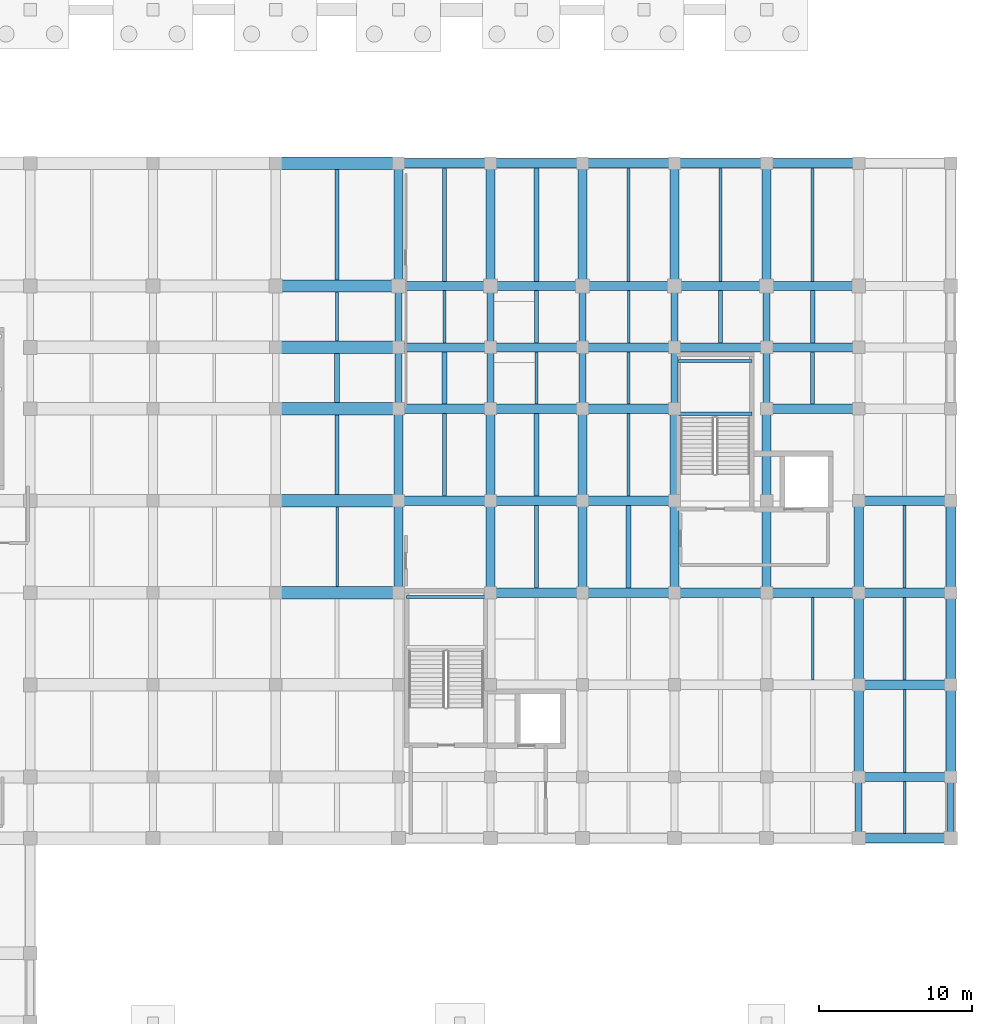
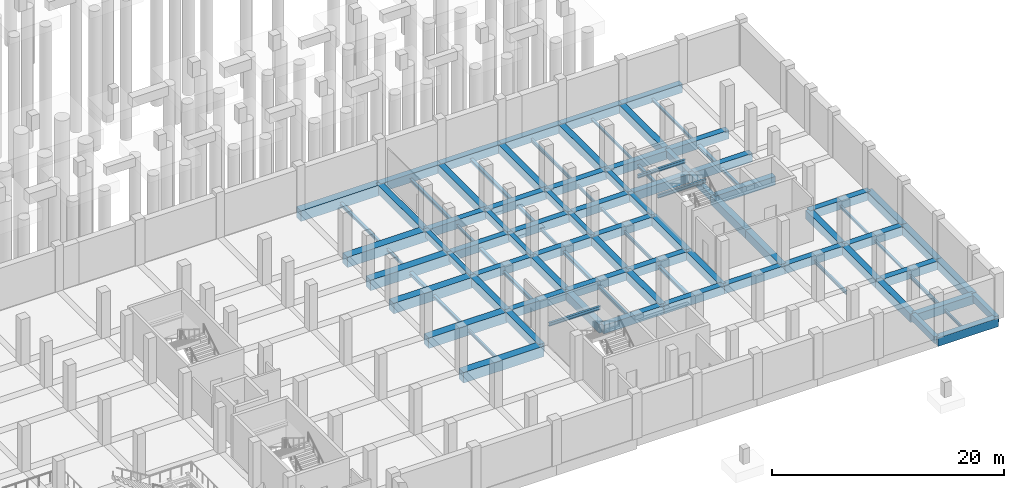
# One storey, part 17 of 36: 102 beams.
"""IFC4 building model written with IfcOpenShell, lengths in metres."""

from ifc_helpers import new_model, si_unit, direction, frame, origin, origin_2d, place, context, subcontext, project, spatial, rectangle, i_section, extrude, material, material_profile, profile_set, type_object, element, save


model = new_model("IFC4")

# Units and contexts
model_context = context("Model", 3, precision=1e-05, world=origin(), true_north=direction((0.0, 1.0)))
body_context = subcontext(model_context, "Body", "Model", "MODEL_VIEW")
ifc_project = project(units=[si_unit("LENGTHUNIT", "METRE"), si_unit("AREAUNIT", "SQUARE_METRE"), si_unit("VOLUMEUNIT", "CUBIC_METRE"), si_unit("PLANEANGLEUNIT", "RADIAN"), si_unit("MASSUNIT", "GRAM", prefix="KILO")], contexts=[model_context])

# Site, building, storey
site_placement = place(None, origin())
site = spatial("IfcSite", under=ifc_project, at=site_placement, CompositionType="ELEMENT")
building_placement = place(site_placement, origin())
building = spatial("IfcBuilding", under=site, at=building_placement, Name="Verrall Gate Interchange", CompositionType="ELEMENT")
storey_placement = place(building_placement, frame((0.0, 0.0, -4.800048828125)))
storey = spatial("IfcBuildingStorey", under=building, at=storey_placement, Name="B1", CompositionType="ELEMENT", Elevation=-4.800048828125)

# Beams
ifc_material_1 = material(Name="Concrete CSA A23.1 35 MPa (Class S-2)", Category="concrete")
ifc_material_profile_1 = material_profile(ifc_material_1, rectangle(XDim=0.800048828125, YDim=1.10009765625, at=origin_2d()), Name="RC800x1100")
ifc_profile_set_1 = profile_set([ifc_material_profile_1], Name="Concrete CSA A23.1 35 MPa (Class S-2)")
beam_type_1 = type_object("IfcBeamType", Name="B-01 Structural Beam RC800x1100", PredefinedType="BEAM", material=ifc_profile_set_1)
for number, where, z_axis, x_axis, name in (
    (1, (124.0, 28.0, -0.550048828125), (1.0, 0.0, 0.0), (0.0, 1.0, 0.0), "B1 Girder BM-B1-0124 (B-01)"),
    (2, (124.0, 34.0, -0.550048828125), (1.0, 0.0, 0.0), (0.0, 1.0, 0.0), "B1 Girder BM-B1-0145 (B-01)"),
    (3, (124.0, 40.0, -0.550048828125), (1.0, 0.0, 0.0), (0.0, 1.0, 0.0), "B1 Girder BM-B1-0166 (B-01)"),
    (4, (124.0, 44.0, -0.550048828125), (1.0, 0.0, 0.0), (0.0, 1.0, 0.0), "B1 Girder BM-B1-0186 (B-01)"),
    (5, (124.0, 48.0, -0.550048828125), (1.0, 0.0, 0.0), (0.0, 1.0, 0.0), "B1 Girder BM-B1-0211 (B-01)"),
    (6, (124.0, 56.0, -0.550048828125), (1.0, 0.0, 0.0), (0.0, 1.0, 0.0), "B1 Girder BM-B1-0233 (B-01)"),
):
    element("IfcBeam", number, at=place(storey_placement, frame(where, z_axis=z_axis, x_axis=x_axis)), inside=storey, type_object=beam_type_1, Name=name, PredefinedType="BEAM", context=body_context, shape_type="SweptSolid", body=[
        extrude(rectangle(XDim=0.800048828125, YDim=1.10009765625, at=origin_2d()), origin(), (0.0, 0.0, 1.0), 8.0),
    ])
ifc_material_2 = material(Name="Concrete CSA A23.1 40 MPa (Class N)", Category="concrete")
ifc_material_profile_2 = material_profile(ifc_material_2, rectangle(XDim=0.60009765625, YDim=0.89990234375, at=origin_2d()), Name="RC600x900")
ifc_profile_set_2 = profile_set([ifc_material_profile_2], Name="Concrete CSA A23.1 40 MPa (Class N)")
beam_type_2 = type_object("IfcBeamType", Name="B-02 Structural Beam RC600x900", PredefinedType="BEAM", material=ifc_profile_set_2)
for number, where, z_axis, x_axis, name in (
    (7, (162.0, 12.0, -0.449951171875), (1.0, 0.0, 0.0), (0.0, 1.0, 0.0), "B1 Girder BM-B1-0070 (B-02)"),
    (8, (162.0, 16.0, -0.449951171875), (1.0, 0.0, 0.0), (0.0, 1.0, 0.0), "B1 Girder BM-B1-0090 (B-02)"),
    (9, (162.0, 22.0, -0.449951171875), (1.0, 0.0, 0.0), (0.0, 1.0, 0.0), "B1 Girder BM-B1-0107 (B-02)"),
    (10, (138.0, 28.0, -0.449951171875), (1.0, 0.0, 0.0), (0.0, 1.0, 0.0), "B1 Girder BM-B1-0125 (B-02)"),
    (11, (144.0, 28.0, -0.449951171875), (1.0, 0.0, 0.0), (0.0, 1.0, 0.0), "B1 Girder BM-B1-0126 (B-02)"),
    (12, (150.0, 28.0, -0.449951171875), (1.0, 0.0, 0.0), (0.0, 1.0, 0.0), "B1 Girder BM-B1-0127 (B-02)"),
    (13, (156.0, 28.0, -0.449951171875), (1.0, 0.0, 0.0), (0.0, 1.0, 0.0), "B1 Girder BM-B1-0128 (B-02)"),
    (14, (162.0, 28.0, -0.449951171875), (1.0, 0.0, 0.0), (0.0, 1.0, 0.0), "B1 Girder BM-B1-0129 (B-02)"),
    (15, (132.0, 34.0, -0.449951171875), (1.0, 0.0, 0.0), (0.0, 1.0, 0.0), "B1 Girder BM-B1-0146 (B-02)"),
    (16, (138.0, 34.0, -0.449951171875), (1.0, 0.0, 0.0), (0.0, 1.0, 0.0), "B1 Girder BM-B1-0147 (B-02)"),
    (17, (144.0, 34.0, -0.449951171875), (1.0, 0.0, 0.0), (0.0, 1.0, 0.0), "B1 Girder BM-B1-0148 (B-02)"),
    (18, (162.0, 34.0, -0.449951171875), (1.0, 0.0, 0.0), (0.0, 1.0, 0.0), "B1 Girder BM-B1-0149 (B-02)"),
    (19, (132.0, 40.0, -0.449951171875), (1.0, 0.0, 0.0), (0.0, 1.0, 0.0), "B1 Girder BM-B1-0167 (B-02)"),
    (20, (138.0, 40.0, -0.449951171875), (1.0, 0.0, 0.0), (0.0, 1.0, 0.0), "B1 Girder BM-B1-0168 (B-02)"),
    (21, (144.0, 40.0, -0.449951171875), (1.0, 0.0, 0.0), (0.0, 1.0, 0.0), "B1 Girder BM-B1-0169 (B-02)"),
    (22, (156.0, 40.0, -0.449951171875), (1.0, 0.0, 0.0), (0.0, 1.0, 0.0), "B1 Girder BM-B1-0170 (B-02)"),
    (23, (132.0, 44.0, -0.449951171875), (1.0, 0.0, 0.0), (0.0, 1.0, 0.0), "B1 Girder BM-B1-0187 (B-02)"),
    (24, (138.0, 44.0, -0.449951171875), (1.0, 0.0, 0.0), (0.0, 1.0, 0.0), "B1 Girder BM-B1-0188 (B-02)"),
    (25, (144.0, 44.0, -0.449951171875), (1.0, 0.0, 0.0), (0.0, 1.0, 0.0), "B1 Girder BM-B1-0189 (B-02)"),
    (26, (150.0, 44.0, -0.449951171875), (1.0, 0.0, 0.0), (0.0, 1.0, 0.0), "B1 Girder BM-B1-0190 (B-02)"),
    (27, (156.0, 44.0, -0.449951171875), (1.0, 0.0, 0.0), (0.0, 1.0, 0.0), "B1 Girder BM-B1-0191 (B-02)"),
    (28, (132.0, 48.0, -0.449951171875), (1.0, 0.0, 0.0), (0.0, 1.0, 0.0), "B1 Girder BM-B1-0212 (B-02)"),
    (29, (138.0, 48.0, -0.449951171875), (1.0, 0.0, 0.0), (0.0, 1.0, 0.0), "B1 Girder BM-B1-0213 (B-02)"),
    (30, (144.0, 48.0, -0.449951171875), (1.0, 0.0, 0.0), (0.0, 1.0, 0.0), "B1 Girder BM-B1-0214 (B-02)"),
    (31, (150.0, 48.0, -0.449951171875), (1.0, 0.0, 0.0), (0.0, 1.0, 0.0), "B1 Girder BM-B1-0215 (B-02)"),
    (32, (156.0, 48.0, -0.449951171875), (1.0, 0.0, 0.0), (0.0, 1.0, 0.0), "B1 Girder BM-B1-0216 (B-02)"),
    (33, (132.0, 56.0, -0.449951171875), (1.0, 0.0, 0.0), (0.0, 1.0, 0.0), "B1 Girder BM-B1-0234 (B-02)"),
    (34, (138.0, 56.0, -0.449951171875), (1.0, 0.0, 0.0), (0.0, 1.0, 0.0), "B1 Girder BM-B1-0235 (B-02)"),
    (35, (144.0, 56.0, -0.449951171875), (1.0, 0.0, 0.0), (0.0, 1.0, 0.0), "B1 Girder BM-B1-0236 (B-02)"),
    (36, (150.0, 56.0, -0.449951171875), (1.0, 0.0, 0.0), (0.0, 1.0, 0.0), "B1 Girder BM-B1-0237 (B-02)"),
    (37, (156.0, 56.0, -0.449951171875), (1.0, 0.0, 0.0), (0.0, 1.0, 0.0), "B1 Girder BM-B1-0238 (B-02)"),
    (38, (132.0, 28.0, -0.449951171875), (0.0, 1.0, 0.0), (-1.0, 0.0, 0.0), "B1 Girder BM-B1-0481 (B-02)"),
    (39, (132.0, 34.0, -0.449951171875), (0.0, 1.0, 0.0), (-1.0, 0.0, 0.0), "B1 Girder BM-B1-0482 (B-02)"),
):
    element("IfcBeam", number, at=place(storey_placement, frame(where, z_axis=z_axis, x_axis=x_axis)), inside=storey, type_object=beam_type_2, Name=name, PredefinedType="BEAM", context=body_context, shape_type="SweptSolid", body=[
        extrude(rectangle(XDim=0.60009765625, YDim=0.89990234375, at=origin_2d()), origin(), (0.0, 0.0, 1.0), 6.0),
    ])
beam_1_placement = place(storey_placement, frame((132.0, 48.0, -0.449951171875), z_axis=(0.0, 1.0, 0.0), x_axis=(-1.0, 0.0, 0.0)))
element("IfcBeam", 40, at=beam_1_placement, inside=storey, type_object=beam_type_2, Name="B1 Girder BM-B1-0485 (B-02)", PredefinedType="BEAM", context=body_context, shape_type="SweptSolid", body=[
    extrude(rectangle(XDim=0.60009765625, YDim=0.89990234375, at=origin_2d()), origin(), (0.0, 0.0, 1.0), 8.0),
])
for number, where, z_axis, x_axis, name in (
    (41, (138.0, 28.0, -0.449951171875), (0.0, 1.0, 0.0), (-1.0, 0.0, 0.0), "B1 Girder BM-B1-0489 (B-02)"),
    (42, (138.0, 34.0, -0.449951171875), (0.0, 1.0, 0.0), (-1.0, 0.0, 0.0), "B1 Girder BM-B1-0490 (B-02)"),
):
    element("IfcBeam", number, at=place(storey_placement, frame(where, z_axis=z_axis, x_axis=x_axis)), inside=storey, type_object=beam_type_2, Name=name, PredefinedType="BEAM", context=body_context, shape_type="SweptSolid", body=[
        extrude(rectangle(XDim=0.60009765625, YDim=0.89990234375, at=origin_2d()), origin(), (0.0, 0.0, 1.0), 6.0),
    ])
beam_2_placement = place(storey_placement, frame((138.0, 48.0, -0.449951171875), z_axis=(0.0, 1.0, 0.0), x_axis=(-1.0, 0.0, 0.0)))
element("IfcBeam", 43, at=beam_2_placement, inside=storey, type_object=beam_type_2, Name="B1 Girder BM-B1-0493 (B-02)", PredefinedType="BEAM", context=body_context, shape_type="SweptSolid", body=[
    extrude(rectangle(XDim=0.60009765625, YDim=0.89990234375, at=origin_2d()), origin(), (0.0, 0.0, 1.0), 8.0),
])
for number, where, z_axis, x_axis, name in (
    (44, (144.0, 28.0, -0.449951171875), (0.0, 1.0, 0.0), (-1.0, 0.0, 0.0), "B1 Girder BM-B1-0497 (B-02)"),
    (45, (144.0, 34.0, -0.449951171875), (0.0, 1.0, 0.0), (-1.0, 0.0, 0.0), "B1 Girder BM-B1-0498 (B-02)"),
):
    element("IfcBeam", number, at=place(storey_placement, frame(where, z_axis=z_axis, x_axis=x_axis)), inside=storey, type_object=beam_type_2, Name=name, PredefinedType="BEAM", context=body_context, shape_type="SweptSolid", body=[
        extrude(rectangle(XDim=0.60009765625, YDim=0.89990234375, at=origin_2d()), origin(), (0.0, 0.0, 1.0), 6.0),
    ])
beam_3_placement = place(storey_placement, frame((144.0, 48.0, -0.449951171875), z_axis=(0.0, 1.0, 0.0), x_axis=(-1.0, 0.0, 0.0)))
element("IfcBeam", 46, at=beam_3_placement, inside=storey, type_object=beam_type_2, Name="B1 Girder BM-B1-0501 (B-02)", PredefinedType="BEAM", context=body_context, shape_type="SweptSolid", body=[
    extrude(rectangle(XDim=0.60009765625, YDim=0.89990234375, at=origin_2d()), origin(), (0.0, 0.0, 1.0), 8.0),
])
for number, where, z_axis, x_axis, name in (
    (47, (150.0, 28.0, -0.449951171875), (0.0, 1.0, 0.0), (-1.0, 0.0, 0.0), "B1 Girder BM-B1-0505 (B-02)"),
    (48, (150.0, 34.0, -0.449951171875), (0.0, 1.0, 0.0), (-1.0, 0.0, 0.0), "B1 Girder BM-B1-0506 (B-02)"),
):
    element("IfcBeam", number, at=place(storey_placement, frame(where, z_axis=z_axis, x_axis=x_axis)), inside=storey, type_object=beam_type_2, Name=name, PredefinedType="BEAM", context=body_context, shape_type="SweptSolid", body=[
        extrude(rectangle(XDim=0.60009765625, YDim=0.89990234375, at=origin_2d()), origin(), (0.0, 0.0, 1.0), 6.0),
    ])
beam_4_placement = place(storey_placement, frame((150.0, 48.0, -0.449951171875), z_axis=(0.0, 1.0, 0.0), x_axis=(-1.0, 0.0, 0.0)))
element("IfcBeam", 49, at=beam_4_placement, inside=storey, type_object=beam_type_2, Name="B1 Girder BM-B1-0509 (B-02)", PredefinedType="BEAM", context=body_context, shape_type="SweptSolid", body=[
    extrude(rectangle(XDim=0.60009765625, YDim=0.89990234375, at=origin_2d()), origin(), (0.0, 0.0, 1.0), 8.0),
])
for number, where, z_axis, x_axis, name in (
    (50, (156.0, 28.0, -0.449951171875), (0.0, 1.0, 0.0), (-1.0, 0.0, 0.0), "B1 Girder BM-B1-0513 (B-02)"),
    (51, (156.0, 34.0, -0.449951171875), (0.0, 1.0, 0.0), (-1.0, 0.0, 0.0), "B1 Girder BM-B1-0514 (B-02)"),
):
    element("IfcBeam", number, at=place(storey_placement, frame(where, z_axis=z_axis, x_axis=x_axis)), inside=storey, type_object=beam_type_2, Name=name, PredefinedType="BEAM", context=body_context, shape_type="SweptSolid", body=[
        extrude(rectangle(XDim=0.60009765625, YDim=0.89990234375, at=origin_2d()), origin(), (0.0, 0.0, 1.0), 6.0),
    ])
beam_5_placement = place(storey_placement, frame((156.0, 48.0, -0.449951171875), z_axis=(0.0, 1.0, 0.0), x_axis=(-1.0, 0.0, 0.0)))
element("IfcBeam", 52, at=beam_5_placement, inside=storey, type_object=beam_type_2, Name="B1 Girder BM-B1-0517 (B-02)", PredefinedType="BEAM", context=body_context, shape_type="SweptSolid", body=[
    extrude(rectangle(XDim=0.60009765625, YDim=0.89990234375, at=origin_2d()), origin(), (0.0, 0.0, 1.0), 8.0),
])
for number, where, z_axis, x_axis, name in (
    (53, (162.0, 16.0, -0.449951171875), (0.0, 1.0, 0.0), (-1.0, 0.0, 0.0), "B1 Girder BM-B1-0519 (B-02)"),
    (54, (162.0, 22.0, -0.449951171875), (0.0, 1.0, 0.0), (-1.0, 0.0, 0.0), "B1 Girder BM-B1-0520 (B-02)"),
    (55, (162.0, 28.0, -0.449951171875), (0.0, 1.0, 0.0), (-1.0, 0.0, 0.0), "B1 Girder BM-B1-0521 (B-02)"),
    (56, (168.0, 16.0, -0.449951171875), (0.0, 1.0, 0.0), (-1.0, 0.0, 0.0), "B1 Girder BM-B1-0527 (B-02)"),
    (57, (168.0, 22.0, -0.449951171875), (0.0, 1.0, 0.0), (-1.0, 0.0, 0.0), "B1 Girder BM-B1-0528 (B-02)"),
    (58, (168.0, 28.0, -0.449951171875), (0.0, 1.0, 0.0), (-1.0, 0.0, 0.0), "B1 Girder BM-B1-0529 (B-02)"),
):
    element("IfcBeam", number, at=place(storey_placement, frame(where, z_axis=z_axis, x_axis=x_axis)), inside=storey, type_object=beam_type_2, Name=name, PredefinedType="BEAM", context=body_context, shape_type="SweptSolid", body=[
        extrude(rectangle(XDim=0.60009765625, YDim=0.89990234375, at=origin_2d()), origin(), (0.0, 0.0, 1.0), 6.0),
    ])
ifc_material_3 = material(Name="Concrete CSA A23.1 40 MPa (Class N)", Category="concrete")
ifc_material_profile_3 = material_profile(ifc_material_3, rectangle(XDim=0.449951171875, YDim=0.699951171875, at=origin_2d()), Name="RC450x700")
ifc_profile_set_3 = profile_set([ifc_material_profile_3], Name="Concrete CSA A23.1 40 MPa (Class N)")
beam_type_3 = type_object("IfcBeamType", Name="B-03 Structural Beam RC450x700", PredefinedType="BEAM", material=ifc_profile_set_3)
for number, where, z_axis, x_axis, name in (
    (59, (132.0, 40.0, -0.349853515625), (0.0, 1.0, 0.0), (-1.0, 0.0, 0.0), "B1 Girder BM-B1-0483 (B-03)"),
    (60, (132.0, 44.0, -0.349853515625), (0.0, 1.0, 0.0), (-1.0, 0.0, 0.0), "B1 Girder BM-B1-0484 (B-03)"),
    (61, (138.0, 40.0, -0.349853515625), (0.0, 1.0, 0.0), (-1.0, 0.0, 0.0), "B1 Girder BM-B1-0491 (B-03)"),
    (62, (138.0, 44.0, -0.349853515625), (0.0, 1.0, 0.0), (-1.0, 0.0, 0.0), "B1 Girder BM-B1-0492 (B-03)"),
    (63, (144.0, 40.0, -0.349853515625), (0.0, 1.0, 0.0), (-1.0, 0.0, 0.0), "B1 Girder BM-B1-0499 (B-03)"),
    (64, (144.0, 44.0, -0.349853515625), (0.0, 1.0, 0.0), (-1.0, 0.0, 0.0), "B1 Girder BM-B1-0500 (B-03)"),
    (65, (150.0, 40.0, -0.349853515625), (0.0, 1.0, 0.0), (-1.0, 0.0, 0.0), "B1 Girder BM-B1-0507 (B-03)"),
    (66, (150.0, 44.0, -0.349853515625), (0.0, 1.0, 0.0), (-1.0, 0.0, 0.0), "B1 Girder BM-B1-0508 (B-03)"),
    (67, (156.0, 40.0, -0.349853515625), (0.0, 1.0, 0.0), (-1.0, 0.0, 0.0), "B1 Girder BM-B1-0515 (B-03)"),
    (68, (156.0, 44.0, -0.349853515625), (0.0, 1.0, 0.0), (-1.0, 0.0, 0.0), "B1 Girder BM-B1-0516 (B-03)"),
    (69, (162.0, 12.0, -0.349853515625), (0.0, 1.0, 0.0), (-1.0, 0.0, 0.0), "B1 Girder BM-B1-0518 (B-03)"),
    (70, (168.0, 12.0, -0.349853515625), (0.0, 1.0, 0.0), (-1.0, 0.0, 0.0), "B1 Girder BM-B1-0526 (B-03)"),
):
    element("IfcBeam", number, at=place(storey_placement, frame(where, z_axis=z_axis, x_axis=x_axis)), inside=storey, type_object=beam_type_3, Name=name, PredefinedType="BEAM", context=body_context, shape_type="SweptSolid", body=[
        extrude(rectangle(XDim=0.449951171875, YDim=0.699951171875, at=origin_2d()), origin(), (0.0, 0.0, 1.0), 4.0),
    ])
ifc_material_4 = material(Name="Structural Steel CSA G40.21 350W", Category="steel")
ifc_material_profile_4 = material_profile(ifc_material_4, i_section(OverallWidth=0.205078125, OverallDepth=0.35400390625, WebThickness=0.009521484375, FlangeThickness=0.016845703125, FilletRadius=0.012939453125, at=origin_2d()), Name="W360x79")
ifc_profile_set_4 = profile_set([ifc_material_profile_4], Name="Structural Steel CSA G40.21 350W")
beam_type_4 = type_object("IfcBeamType", Name="B-14 Structural Beam W360x79", PredefinedType="BEAM", material=ifc_profile_set_4)
beam_6_placement = place(storey_placement, frame((132.5400390625, 27.719970703125, 2.030029296875), z_axis=(1.0, 0.0, 0.0), x_axis=(0.0, 1.0, 0.0)))
element("IfcBeam", 71, at=beam_6_placement, inside=storey, type_object=beam_type_4, Name="B1 Core C8 Mid-Landing Beam 2", PredefinedType="BEAM", context=body_context, shape_type="SweptSolid", body=[
    extrude(i_section(OverallWidth=0.205078125, OverallDepth=0.35400390625, WebThickness=0.009521484375, FlangeThickness=0.016845703125, FilletRadius=0.012939453125, at=origin_2d()), origin(), (0.0, 0.0, 1.0), 5.139892578125),
])
for number, where, z_axis, x_axis, name in (
    (72, (150.260009765625, 39.669921875, 2.030029296875), (1.0, 0.0, 0.0), (0.0, 1.0, 0.0), "B1 Core C9 Mid-Landing Beam 1"),
    (73, (150.260009765625, 43.1201171875, 2.030029296875), (1.0, 0.0, 0.0), (0.0, 1.0, 0.0), "B1 Core C9 Mid-Landing Beam 2"),
):
    element("IfcBeam", number, at=place(storey_placement, frame(where, z_axis=z_axis, x_axis=x_axis)), inside=storey, type_object=beam_type_4, Name=name, PredefinedType="BEAM", context=body_context, shape_type="SweptSolid", body=[
        extrude(i_section(OverallWidth=0.205078125, OverallDepth=0.35400390625, WebThickness=0.009521484375, FlangeThickness=0.016845703125, FilletRadius=0.012939453125, at=origin_2d()), origin(), (0.0, 0.0, 1.0), 4.780029296875),
    ])
ifc_material_5 = material(Name="Structural Steel CSA G40.21 350W", Category="steel")
ifc_material_profile_5 = material_profile(ifc_material_5, i_section(OverallWidth=0.172119140625, OverallDepth=0.35791015625, WebThickness=0.0078125, FlangeThickness=0.01318359375, FilletRadius=0.010986328125, at=origin_2d()), Name="W360x57")
ifc_profile_set_5 = profile_set([ifc_material_profile_5], Name="Structural Steel CSA G40.21 350W")
beam_type_5 = type_object("IfcBeamType", Name="J-01 Floor Joist W360x57", PredefinedType="JOIST", material=ifc_profile_set_5)
for number, where, z_axis, x_axis, name in (
    (74, (165.0, 16.300048828125, -0.62890625), (0.0, 1.0, 0.0), (-1.0, 0.0, 0.0), "B1 Secondary Floor Joist JST-B1-0593"),
    (75, (159.0, 22.300048828125, -0.62890625), (0.0, 1.0, 0.0), (-1.0, 0.0, 0.0), "B1 Secondary Floor Joist JST-B1-0607"),
    (76, (147.0, 34.300048828125, -0.62890625), (0.0, 1.0, 0.0), (-1.0, 0.0, 0.0), "B1 Secondary Floor Joist JST-B1-0643"),
):
    element("IfcBeam", number, at=place(storey_placement, frame(where, z_axis=z_axis, x_axis=x_axis)), inside=storey, type_object=beam_type_5, Name=name, PredefinedType="JOIST", context=body_context, shape_type="SweptSolid", body=[
        extrude(i_section(OverallWidth=0.172119140625, OverallDepth=0.35791015625, WebThickness=0.0078125, FlangeThickness=0.01318359375, FilletRadius=0.010986328125, at=origin_2d()), origin(), (0.0, 0.0, 1.0), 5.39990234375),
    ])
beam_7_placement = place(storey_placement, frame((141.0, 40.300048828125, -0.62890625), z_axis=(0.0, 1.0, 0.0), x_axis=(-1.0, 0.0, 0.0)))
element("IfcBeam", 77, at=beam_7_placement, inside=storey, type_object=beam_type_5, Name="B1 Secondary Floor Joist JST-B1-0659", PredefinedType="JOIST", context=body_context, shape_type="SweptSolid", body=[
    extrude(i_section(OverallWidth=0.172119140625, OverallDepth=0.35791015625, WebThickness=0.0078125, FlangeThickness=0.01318359375, FilletRadius=0.010986328125, at=origin_2d()), origin(), (0.0, 0.0, 1.0), 3.39990234375),
])
beam_8_placement = place(storey_placement, frame((147.0, 48.300048828125, -0.62890625), z_axis=(0.0, 1.0, 0.0), x_axis=(-1.0, 0.0, 0.0)))
element("IfcBeam", 78, at=beam_8_placement, inside=storey, type_object=beam_type_5, Name="B1 Secondary Floor Joist JST-B1-0700", PredefinedType="JOIST", context=body_context, shape_type="SweptSolid", body=[
    extrude(i_section(OverallWidth=0.172119140625, OverallDepth=0.35791015625, WebThickness=0.0078125, FlangeThickness=0.01318359375, FilletRadius=0.010986328125, at=origin_2d()), origin(), (0.0, 0.0, 1.0), 7.39990234375),
])
ifc_material_6 = material(Name="Structural Steel CSA G40.21 350W", Category="steel")
ifc_material_profile_6 = material_profile(ifc_material_6, i_section(OverallWidth=0.306884765625, OverallDepth=0.31396484375, WebThickness=0.011962890625, FlangeThickness=0.018798828125, FilletRadius=0.013916015625, at=origin_2d()), Name="W310x118")
ifc_profile_set_6 = profile_set([ifc_material_profile_6], Name="Structural Steel CSA G40.21 350W")
beam_type_6 = type_object("IfcBeamType", Name="J-02 Floor Joist W310x118", PredefinedType="JOIST", material=ifc_profile_set_6)
for number, where, z_axis, x_axis, name in (
    (79, (147.0, 28.300048828125, -0.60693359375), (0.0, 1.0, 0.0), (-1.0, 0.0, 0.0), "B1 Secondary Floor Joist JST-B1-0625"),
    (80, (141.0, 34.300048828125, -0.60693359375), (0.0, 1.0, 0.0), (-1.0, 0.0, 0.0), "B1 Secondary Floor Joist JST-B1-0642"),
):
    element("IfcBeam", number, at=place(storey_placement, frame(where, z_axis=z_axis, x_axis=x_axis)), inside=storey, type_object=beam_type_6, Name=name, PredefinedType="JOIST", context=body_context, shape_type="SweptSolid", body=[
        extrude(i_section(OverallWidth=0.306884765625, OverallDepth=0.31396484375, WebThickness=0.011962890625, FlangeThickness=0.018798828125, FilletRadius=0.013916015625, at=origin_2d()), origin(), (0.0, 0.0, 1.0), 5.39990234375),
    ])
beam_9_placement = place(storey_placement, frame((128.0, 40.39990234375, -0.60693359375), z_axis=(0.0, 1.0, 0.0), x_axis=(-1.0, 0.0, 0.0)))
element("IfcBeam", 81, at=beam_9_placement, inside=storey, type_object=beam_type_6, Name="B1 Secondary Floor Joist JST-B1-0657", PredefinedType="JOIST", context=body_context, shape_type="SweptSolid", body=[
    extrude(i_section(OverallWidth=0.306884765625, OverallDepth=0.31396484375, WebThickness=0.011962890625, FlangeThickness=0.018798828125, FilletRadius=0.013916015625, at=origin_2d()), origin(), (0.0, 0.0, 1.0), 3.2001953125),
])
for number, where, z_axis, x_axis, name in (
    (82, (135.0, 40.300048828125, -0.60693359375), (0.0, 1.0, 0.0), (-1.0, 0.0, 0.0), "B1 Secondary Floor Joist JST-B1-0658"),
    (83, (159.0, 44.300048828125, -0.60693359375), (0.0, 1.0, 0.0), (-1.0, 0.0, 0.0), "B1 Secondary Floor Joist JST-B1-0681"),
):
    element("IfcBeam", number, at=place(storey_placement, frame(where, z_axis=z_axis, x_axis=x_axis)), inside=storey, type_object=beam_type_6, Name=name, PredefinedType="JOIST", context=body_context, shape_type="SweptSolid", body=[
        extrude(i_section(OverallWidth=0.306884765625, OverallDepth=0.31396484375, WebThickness=0.011962890625, FlangeThickness=0.018798828125, FilletRadius=0.013916015625, at=origin_2d()), origin(), (0.0, 0.0, 1.0), 3.39990234375),
    ])
beam_10_placement = place(storey_placement, frame((141.0, 48.300048828125, -0.60693359375), z_axis=(0.0, 1.0, 0.0), x_axis=(-1.0, 0.0, 0.0)))
element("IfcBeam", 84, at=beam_10_placement, inside=storey, type_object=beam_type_6, Name="B1 Secondary Floor Joist JST-B1-0699", PredefinedType="JOIST", context=body_context, shape_type="SweptSolid", body=[
    extrude(i_section(OverallWidth=0.306884765625, OverallDepth=0.31396484375, WebThickness=0.011962890625, FlangeThickness=0.018798828125, FilletRadius=0.013916015625, at=origin_2d()), origin(), (0.0, 0.0, 1.0), 7.39990234375),
])
ifc_material_7 = material(Name="Structural Steel CSA G40.21 350W", Category="steel")
ifc_material_profile_7 = material_profile(ifc_material_7, i_section(OverallWidth=0.25390625, OverallDepth=0.305908203125, WebThickness=0.0087890625, FlangeThickness=0.0146484375, FilletRadius=0.012939453125, at=origin_2d()), Name="W310x79")
ifc_profile_set_7 = profile_set([ifc_material_profile_7], Name="Structural Steel CSA G40.21 350W")
beam_type_7 = type_object("IfcBeamType", Name="J-03 Floor Joist W310x79", PredefinedType="JOIST", material=ifc_profile_set_7)
beam_11_placement = place(storey_placement, frame((141.0, 28.300048828125, -0.60302734375), z_axis=(0.0, 1.0, 0.0), x_axis=(-1.0, 0.0, 0.0)))
element("IfcBeam", 85, at=beam_11_placement, inside=storey, type_object=beam_type_7, Name="B1 Secondary Floor Joist JST-B1-0624", PredefinedType="JOIST", context=body_context, shape_type="SweptSolid", body=[
    extrude(i_section(OverallWidth=0.25390625, OverallDepth=0.305908203125, WebThickness=0.0087890625, FlangeThickness=0.0146484375, FilletRadius=0.012939453125, at=origin_2d()), origin(), (0.0, 0.0, 1.0), 5.39990234375),
])
beam_12_placement = place(storey_placement, frame((128.0, 34.39990234375, -0.60302734375), z_axis=(0.0, 1.0, 0.0), x_axis=(-1.0, 0.0, 0.0)))
element("IfcBeam", 86, at=beam_12_placement, inside=storey, type_object=beam_type_7, Name="B1 Secondary Floor Joist JST-B1-0640", PredefinedType="JOIST", context=body_context, shape_type="SweptSolid", body=[
    extrude(i_section(OverallWidth=0.25390625, OverallDepth=0.305908203125, WebThickness=0.0087890625, FlangeThickness=0.0146484375, FilletRadius=0.012939453125, at=origin_2d()), origin(), (0.0, 0.0, 1.0), 5.2001953125),
])
beam_13_placement = place(storey_placement, frame((135.0, 34.300048828125, -0.60302734375), z_axis=(0.0, 1.0, 0.0), x_axis=(-1.0, 0.0, 0.0)))
element("IfcBeam", 87, at=beam_13_placement, inside=storey, type_object=beam_type_7, Name="B1 Secondary Floor Joist JST-B1-0641", PredefinedType="JOIST", context=body_context, shape_type="SweptSolid", body=[
    extrude(i_section(OverallWidth=0.25390625, OverallDepth=0.305908203125, WebThickness=0.0087890625, FlangeThickness=0.0146484375, FilletRadius=0.012939453125, at=origin_2d()), origin(), (0.0, 0.0, 1.0), 5.39990234375),
])
beam_14_placement = place(storey_placement, frame((153.0, 44.300048828125, -0.60302734375), z_axis=(0.0, 1.0, 0.0), x_axis=(-1.0, 0.0, 0.0)))
element("IfcBeam", 88, at=beam_14_placement, inside=storey, type_object=beam_type_7, Name="B1 Secondary Floor Joist JST-B1-0680", PredefinedType="JOIST", context=body_context, shape_type="SweptSolid", body=[
    extrude(i_section(OverallWidth=0.25390625, OverallDepth=0.305908203125, WebThickness=0.0087890625, FlangeThickness=0.0146484375, FilletRadius=0.012939453125, at=origin_2d()), origin(), (0.0, 0.0, 1.0), 3.39990234375),
])
beam_15_placement = place(storey_placement, frame((128.0, 48.39990234375, -0.60302734375), z_axis=(0.0, 1.0, 0.0), x_axis=(-1.0, 0.0, 0.0)))
element("IfcBeam", 89, at=beam_15_placement, inside=storey, type_object=beam_type_7, Name="B1 Secondary Floor Joist JST-B1-0697", PredefinedType="JOIST", context=body_context, shape_type="SweptSolid", body=[
    extrude(i_section(OverallWidth=0.25390625, OverallDepth=0.305908203125, WebThickness=0.0087890625, FlangeThickness=0.0146484375, FilletRadius=0.012939453125, at=origin_2d()), origin(), (0.0, 0.0, 1.0), 7.2001953125),
])
beam_16_placement = place(storey_placement, frame((135.0, 48.300048828125, -0.60302734375), z_axis=(0.0, 1.0, 0.0), x_axis=(-1.0, 0.0, 0.0)))
element("IfcBeam", 90, at=beam_16_placement, inside=storey, type_object=beam_type_7, Name="B1 Secondary Floor Joist JST-B1-0698", PredefinedType="JOIST", context=body_context, shape_type="SweptSolid", body=[
    extrude(i_section(OverallWidth=0.25390625, OverallDepth=0.305908203125, WebThickness=0.0087890625, FlangeThickness=0.0146484375, FilletRadius=0.012939453125, at=origin_2d()), origin(), (0.0, 0.0, 1.0), 7.39990234375),
])
ifc_material_8 = material(Name="Structural Steel CSA G40.21 350W", Category="steel")
ifc_material_profile_8 = material_profile(ifc_material_8, i_section(OverallWidth=0.1650390625, OverallDepth=0.31005859375, WebThickness=0.005859375, FlangeThickness=0.009765625, FilletRadius=0.010009765625, at=origin_2d()), Name="W310x39")
ifc_profile_set_8 = profile_set([ifc_material_profile_8], Name="Structural Steel CSA G40.21 350W")
beam_type_8 = type_object("IfcBeamType", Name="J-04 Floor Joist W310x39", PredefinedType="JOIST", material=ifc_profile_set_8)
beam_17_placement = place(storey_placement, frame((165.0, 12.300048828125, -0.60498046875), z_axis=(0.0, 1.0, 0.0), x_axis=(-1.0, 0.0, 0.0)))
element("IfcBeam", 91, at=beam_17_placement, inside=storey, type_object=beam_type_8, Name="B1 Secondary Floor Joist JST-B1-0581", PredefinedType="JOIST", context=body_context, shape_type="SweptSolid", body=[
    extrude(i_section(OverallWidth=0.1650390625, OverallDepth=0.31005859375, WebThickness=0.005859375, FlangeThickness=0.009765625, FilletRadius=0.010009765625, at=origin_2d()), origin(), (0.0, 0.0, 1.0), 3.39990234375),
])
beam_18_placement = place(storey_placement, frame((128.0, 28.39990234375, -0.60498046875), z_axis=(0.0, 1.0, 0.0), x_axis=(-1.0, 0.0, 0.0)))
element("IfcBeam", 92, at=beam_18_placement, inside=storey, type_object=beam_type_8, Name="B1 Secondary Floor Joist JST-B1-0623", PredefinedType="JOIST", context=body_context, shape_type="SweptSolid", body=[
    extrude(i_section(OverallWidth=0.1650390625, OverallDepth=0.31005859375, WebThickness=0.005859375, FlangeThickness=0.009765625, FilletRadius=0.010009765625, at=origin_2d()), origin(), (0.0, 0.0, 1.0), 5.2001953125),
])
beam_19_placement = place(storey_placement, frame((147.0, 44.300048828125, -0.60498046875), z_axis=(0.0, 1.0, 0.0), x_axis=(-1.0, 0.0, 0.0)))
element("IfcBeam", 93, at=beam_19_placement, inside=storey, type_object=beam_type_8, Name="B1 Secondary Floor Joist JST-B1-0679", PredefinedType="JOIST", context=body_context, shape_type="SweptSolid", body=[
    extrude(i_section(OverallWidth=0.1650390625, OverallDepth=0.31005859375, WebThickness=0.005859375, FlangeThickness=0.009765625, FilletRadius=0.010009765625, at=origin_2d()), origin(), (0.0, 0.0, 1.0), 3.39990234375),
])
ifc_material_9 = material(Name="Structural Steel CSA G40.21 350W", Category="steel")
ifc_material_profile_9 = material_profile(ifc_material_9, i_section(OverallWidth=0.25390625, OverallDepth=0.2529296875, WebThickness=0.008544921875, FlangeThickness=0.01416015625, FilletRadius=0.011962890625, at=origin_2d()), Name="W250x73")
ifc_profile_set_9 = profile_set([ifc_material_profile_9], Name="Structural Steel CSA G40.21 350W")
beam_type_9 = type_object("IfcBeamType", Name="J-05 Floor Joist W250x73", PredefinedType="JOIST", material=ifc_profile_set_9)
for number, where, z_axis, x_axis, name in (
    (94, (159.0, 40.300048828125, -0.576416015625), (0.0, 1.0, 0.0), (-1.0, 0.0, 0.0), "B1 Secondary Floor Joist JST-B1-0661"),
    (95, (141.0, 44.300048828125, -0.576416015625), (0.0, 1.0, 0.0), (-1.0, 0.0, 0.0), "B1 Secondary Floor Joist JST-B1-0678"),
):
    element("IfcBeam", number, at=place(storey_placement, frame(where, z_axis=z_axis, x_axis=x_axis)), inside=storey, type_object=beam_type_9, Name=name, PredefinedType="JOIST", context=body_context, shape_type="SweptSolid", body=[
        extrude(i_section(OverallWidth=0.25390625, OverallDepth=0.2529296875, WebThickness=0.008544921875, FlangeThickness=0.01416015625, FilletRadius=0.011962890625, at=origin_2d()), origin(), (0.0, 0.0, 1.0), 3.39990234375),
    ])
ifc_material_10 = material(Name="Structural Steel CSA G40.21 350W", Category="steel")
ifc_material_profile_10 = material_profile(ifc_material_10, i_section(OverallWidth=0.201904296875, OverallDepth=0.2470703125, WebThickness=0.00732421875, FlangeThickness=0.010986328125, FilletRadius=0.010986328125, at=origin_2d()), Name="W250x49")
ifc_profile_set_10 = profile_set([ifc_material_profile_10], Name="Structural Steel CSA G40.21 350W")
beam_type_10 = type_object("IfcBeamType", Name="J-06 Floor Joist W250x49", PredefinedType="JOIST", material=ifc_profile_set_10)
beam_20_placement = place(storey_placement, frame((165.0, 28.300048828125, -0.573486328125), z_axis=(0.0, 1.0, 0.0), x_axis=(-1.0, 0.0, 0.0)))
element("IfcBeam", 96, at=beam_20_placement, inside=storey, type_object=beam_type_10, Name="B1 Secondary Floor Joist JST-B1-0626", PredefinedType="JOIST", context=body_context, shape_type="SweptSolid", body=[
    extrude(i_section(OverallWidth=0.201904296875, OverallDepth=0.2470703125, WebThickness=0.00732421875, FlangeThickness=0.010986328125, FilletRadius=0.010986328125, at=origin_2d()), origin(), (0.0, 0.0, 1.0), 5.39990234375),
])
beam_21_placement = place(storey_placement, frame((128.0, 44.39990234375, -0.573486328125), z_axis=(0.0, 1.0, 0.0), x_axis=(-1.0, 0.0, 0.0)))
element("IfcBeam", 97, at=beam_21_placement, inside=storey, type_object=beam_type_10, Name="B1 Secondary Floor Joist JST-B1-0676", PredefinedType="JOIST", context=body_context, shape_type="SweptSolid", body=[
    extrude(i_section(OverallWidth=0.201904296875, OverallDepth=0.2470703125, WebThickness=0.00732421875, FlangeThickness=0.010986328125, FilletRadius=0.010986328125, at=origin_2d()), origin(), (0.0, 0.0, 1.0), 3.2001953125),
])
beam_22_placement = place(storey_placement, frame((135.0, 44.300048828125, -0.573486328125), z_axis=(0.0, 1.0, 0.0), x_axis=(-1.0, 0.0, 0.0)))
element("IfcBeam", 98, at=beam_22_placement, inside=storey, type_object=beam_type_10, Name="B1 Secondary Floor Joist JST-B1-0677", PredefinedType="JOIST", context=body_context, shape_type="SweptSolid", body=[
    extrude(i_section(OverallWidth=0.201904296875, OverallDepth=0.2470703125, WebThickness=0.00732421875, FlangeThickness=0.010986328125, FilletRadius=0.010986328125, at=origin_2d()), origin(), (0.0, 0.0, 1.0), 3.39990234375),
])
beam_23_placement = place(storey_placement, frame((159.0, 48.300048828125, -0.573486328125), z_axis=(0.0, 1.0, 0.0), x_axis=(-1.0, 0.0, 0.0)))
element("IfcBeam", 99, at=beam_23_placement, inside=storey, type_object=beam_type_10, Name="B1 Secondary Floor Joist JST-B1-0702", PredefinedType="JOIST", context=body_context, shape_type="SweptSolid", body=[
    extrude(i_section(OverallWidth=0.201904296875, OverallDepth=0.2470703125, WebThickness=0.00732421875, FlangeThickness=0.010986328125, FilletRadius=0.010986328125, at=origin_2d()), origin(), (0.0, 0.0, 1.0), 7.39990234375),
])
ifc_material_11 = material(Name="Structural Steel CSA G40.21 350W", Category="steel")
ifc_material_profile_11 = material_profile(ifc_material_11, i_section(OverallWidth=0.202880859375, OverallDepth=0.202880859375, WebThickness=0.007080078125, FlangeThickness=0.010986328125, FilletRadius=0.010009765625, at=origin_2d()), Name="W200x46")
ifc_profile_set_11 = profile_set([ifc_material_profile_11], Name="Structural Steel CSA G40.21 350W")
beam_type_11 = type_object("IfcBeamType", Name="J-07 Floor Joist W200x46", PredefinedType="JOIST", material=ifc_profile_set_11)
beam_24_placement = place(storey_placement, frame((165.0, 22.300048828125, -0.551513671875), z_axis=(0.0, 1.0, 0.0), x_axis=(-1.0, 0.0, 0.0)))
element("IfcBeam", 100, at=beam_24_placement, inside=storey, type_object=beam_type_11, Name="B1 Secondary Floor Joist JST-B1-0608", PredefinedType="JOIST", context=body_context, shape_type="SweptSolid", body=[
    extrude(i_section(OverallWidth=0.202880859375, OverallDepth=0.202880859375, WebThickness=0.007080078125, FlangeThickness=0.010986328125, FilletRadius=0.010009765625, at=origin_2d()), origin(), (0.0, 0.0, 1.0), 5.39990234375),
])
beam_25_placement = place(storey_placement, frame((147.0, 40.300048828125, -0.551513671875), z_axis=(0.0, 1.0, 0.0), x_axis=(-1.0, 0.0, 0.0)))
element("IfcBeam", 101, at=beam_25_placement, inside=storey, type_object=beam_type_11, Name="B1 Secondary Floor Joist JST-B1-0660", PredefinedType="JOIST", context=body_context, shape_type="SweptSolid", body=[
    extrude(i_section(OverallWidth=0.202880859375, OverallDepth=0.202880859375, WebThickness=0.007080078125, FlangeThickness=0.010986328125, FilletRadius=0.010009765625, at=origin_2d()), origin(), (0.0, 0.0, 1.0), 3.39990234375),
])
beam_26_placement = place(storey_placement, frame((153.0, 48.300048828125, -0.551513671875), z_axis=(0.0, 1.0, 0.0), x_axis=(-1.0, 0.0, 0.0)))
element("IfcBeam", 102, at=beam_26_placement, inside=storey, type_object=beam_type_11, Name="B1 Secondary Floor Joist JST-B1-0701", PredefinedType="JOIST", context=body_context, shape_type="SweptSolid", body=[
    extrude(i_section(OverallWidth=0.202880859375, OverallDepth=0.202880859375, WebThickness=0.007080078125, FlangeThickness=0.010986328125, FilletRadius=0.010009765625, at=origin_2d()), origin(), (0.0, 0.0, 1.0), 7.39990234375),
])

save(model, "model.ifc")
